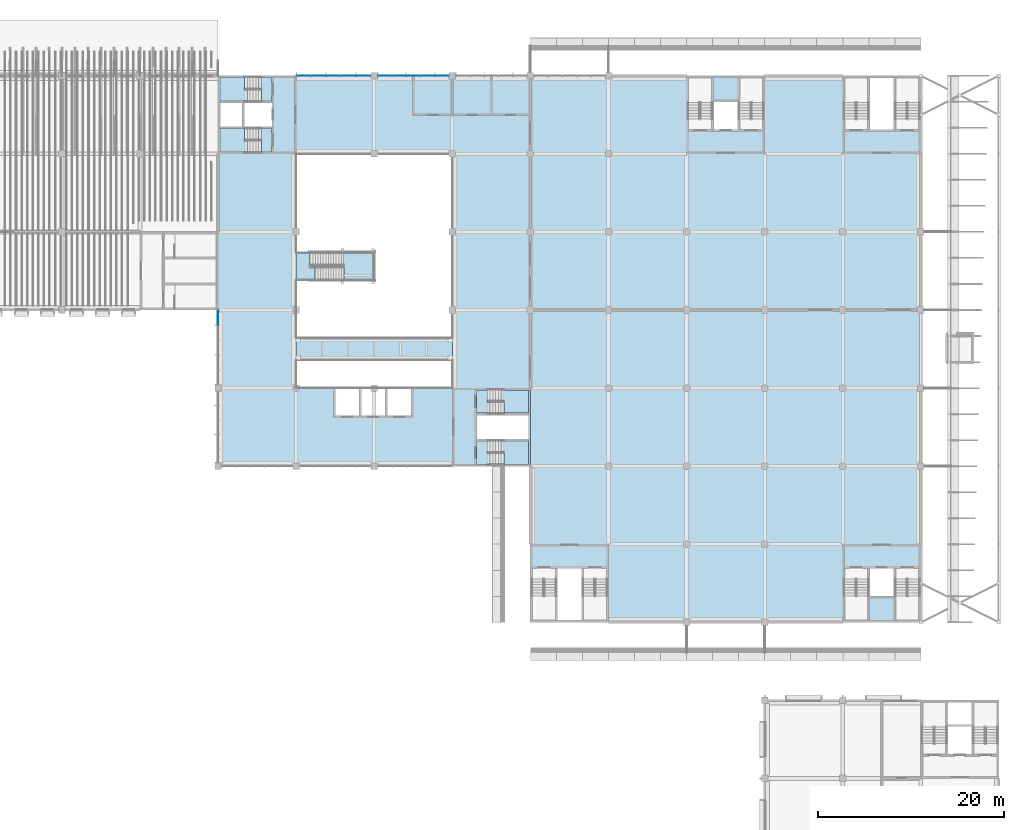
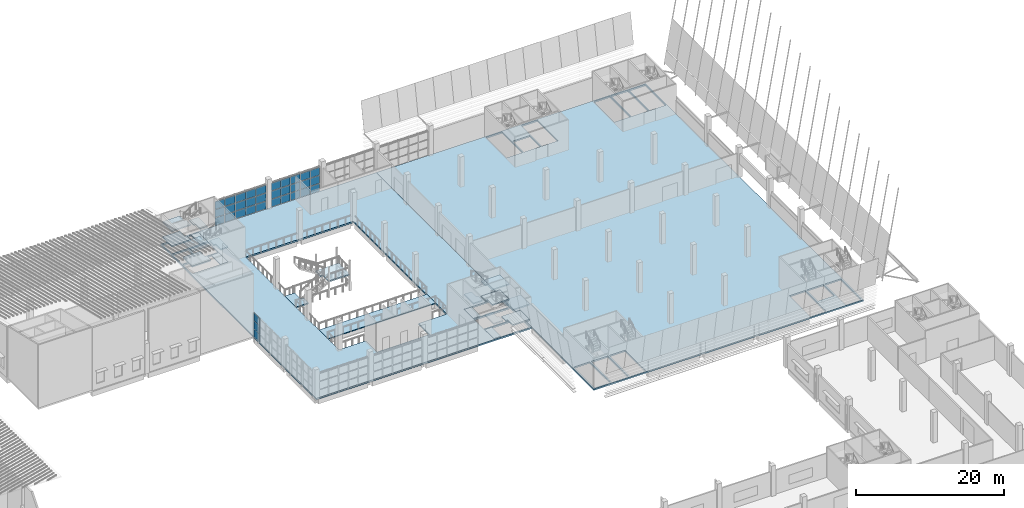
# One storey, part 14 of 82: 33 plates, 21 slabs, 8 elements without a shape of their own.
"""IFC4 building model written with IfcOpenShell, lengths in metres."""

from ifc_helpers import new_model, si_unit, direction, frame, origin, origin_2d, place, context, subcontext, project, spatial, polyline, rectangle, outline, extrude, material, layer, layer_set, type_object, element, aggregate, save


model = new_model("IFC4")

# Units and contexts
model_context = context("Model", 3, precision=1e-05, world=origin(), true_north=direction((0.0, 1.0)))
body_context = subcontext(model_context, "Body", "Model", "MODEL_VIEW")
ifc_project = project(units=[si_unit("LENGTHUNIT", "METRE"), si_unit("AREAUNIT", "SQUARE_METRE"), si_unit("VOLUMEUNIT", "CUBIC_METRE"), si_unit("PLANEANGLEUNIT", "RADIAN"), si_unit("MASSUNIT", "GRAM", prefix="KILO")], contexts=[model_context])

# Site, building, storey
site_placement = place(None, origin())
site = spatial("IfcSite", under=ifc_project, at=site_placement, CompositionType="ELEMENT")
building_placement = place(site_placement, origin())
building = spatial("IfcBuilding", under=site, at=building_placement, Name="Almond Square Museum", CompositionType="ELEMENT")
storey_placement = place(building_placement, frame((0.0, 0.0, 20.0)))
storey = spatial("IfcBuildingStorey", under=building, at=storey_placement, Name="L03", CompositionType="ELEMENT", Elevation=20.0)

# Slab
ifc_material_1 = material(Name="Concrete C35/45", Category="concrete")
ifc_layer_1 = layer(ifc_material_1, 0.14990234375)
ifc_layer_set_1 = layer_set([ifc_layer_1], Name="Concrete C35/45")
slab_type_1 = type_object("IfcSlabType", Name="Bridge deck slab 150", PredefinedType="FLOOR", material=ifc_layer_set_1)
slab_1_placement = place(storey_placement, frame((0.0, 0.0, -0.14990234375)))
element("IfcSlab", 1, at=slab_1_placement, inside=storey, type_object=slab_type_1, Name="Bridge 5 deck", PredefinedType="FLOOR", context=body_context, shape_type="SweptSolid", body=[
    extrude(outline(polyline([(81.60009765625, 78.60009765625), (98.39990234375, 78.60009765625), (98.39990234375, 81.0), (81.60009765625, 81.0), (81.60009765625, 78.60009765625)])), origin(), (0.0, 0.0, 1.0), 0.14990234375),
])

# Stair, slabs
ifc_material_2 = material(Name="Concrete C40/50", Category="concrete")
stair_type_1 = type_object("IfcStairType", Name="Exit stair 28 risers of 179 mm", PredefinedType="HALF_TURN_STAIR", material=ifc_material_2)
stair_1_placement = place(storey_placement, origin())
stair_1 = element("IfcStair", 2, at=stair_1_placement, inside=storey, type_object=stair_type_1, Name="L03 stair A1-1", PredefinedType="HALF_TURN_STAIR")
ifc_material_3 = material(Name="Concrete C40/50", Category="concrete")
ifc_layer_2 = layer(ifc_material_3, 0.199951171875)
ifc_layer_set_2 = layer_set([ifc_layer_2], Name="Concrete C40/50")
slab_type_2 = type_object("IfcSlabType", Name="Concrete stair landing 200", PredefinedType="LANDING", material=ifc_layer_set_2)
slab_2_placement = place(storey_placement, frame((0.0, 0.0, 1.050048828125)))
slab_2 = element("IfcSlab", 3, at=slab_2_placement, type_object=slab_type_2, Name="ST-09 landing 1", PredefinedType="LANDING", context=body_context, shape_type="SweptSolid", body=[
    extrude(outline(polyline([(76.052978515625, 103.5), (73.39990234375, 103.5), (73.39990234375, 101.0), (76.35009765625, 101.0), (76.35009765625, 102.14990234375), (76.052978515625, 102.14990234375), (76.052978515625, 103.5)])), origin(), (0.0, 0.0, 1.0), 0.199951171875),
])
slab_3_placement = place(storey_placement, frame((0.0, 0.0, 2.300048828125)))
slab_3 = element("IfcSlab", 4, at=slab_3_placement, type_object=slab_type_2, Name="ST-09 landing 2", PredefinedType="LANDING", context=body_context, shape_type="SweptSolid", body=[
    extrude(outline(polyline([(79.0, 103.5), (77.85009765625, 103.5), (77.550048828125, 103.5), (77.550048828125, 102.35009765625), (77.846923828125, 102.35009765625), (77.846923828125, 101.0), (79.0, 101.0), (79.0, 103.5)])), origin(), (0.0, 0.0, 1.0), 0.199951171875),
])
slab_4_placement = place(storey_placement, frame((0.0, 0.0, 3.550048828125)))
slab_4 = element("IfcSlab", 5, at=slab_4_placement, type_object=slab_type_2, Name="ST-09 landing 3", PredefinedType="LANDING", context=body_context, shape_type="SweptSolid", body=[
    extrude(outline(polyline([(76.052978515625, 103.5), (73.39990234375, 103.5), (73.39990234375, 101.0), (76.35009765625, 101.0), (76.35009765625, 102.14990234375), (76.052978515625, 102.14990234375), (76.052978515625, 103.5)])), origin(), (0.0, 0.0, 1.0), 0.199951171875),
])
aggregate(stair_1, [slab_2, slab_3, slab_4])

stair_2_placement = place(storey_placement, origin())
stair_2 = element("IfcStair", 6, at=stair_2_placement, inside=storey, type_object=stair_type_1, Name="L03 stair A1-2", PredefinedType="HALF_TURN_STAIR")
slab_5_placement = place(storey_placement, frame((0.0, 0.0, 1.050048828125)))
slab_5 = element("IfcSlab", 7, at=slab_5_placement, type_object=slab_type_2, Name="ST-10 landing 1", PredefinedType="LANDING", context=body_context, shape_type="SweptSolid", body=[
    extrude(outline(polyline([(76.052978515625, 109.0), (73.39990234375, 109.0), (73.39990234375, 106.5), (76.35009765625, 106.5), (76.35009765625, 107.64990234375), (76.052978515625, 107.64990234375), (76.052978515625, 109.0)])), origin(), (0.0, 0.0, 1.0), 0.199951171875),
])
slab_6_placement = place(storey_placement, frame((0.0, 0.0, 2.300048828125)))
slab_6 = element("IfcSlab", 8, at=slab_6_placement, type_object=slab_type_2, Name="ST-10 landing 2", PredefinedType="LANDING", context=body_context, shape_type="SweptSolid", body=[
    extrude(outline(polyline([(79.0, 109.0), (77.85009765625, 109.0), (77.550048828125, 109.0), (77.550048828125, 107.85009765625), (77.846923828125, 107.85009765625), (77.846923828125, 106.5), (79.0, 106.5), (79.0, 109.0)])), origin(), (0.0, 0.0, 1.0), 0.199951171875),
])
slab_7_placement = place(storey_placement, frame((0.0, 0.0, 3.550048828125)))
slab_7 = element("IfcSlab", 9, at=slab_7_placement, type_object=slab_type_2, Name="ST-10 landing 3", PredefinedType="LANDING", context=body_context, shape_type="SweptSolid", body=[
    extrude(outline(polyline([(76.052978515625, 109.0), (73.39990234375, 109.0), (73.39990234375, 106.5), (76.35009765625, 106.5), (76.35009765625, 107.64990234375), (76.052978515625, 107.64990234375), (76.052978515625, 109.0)])), origin(), (0.0, 0.0, 1.0), 0.199951171875),
])
aggregate(stair_2, [slab_5, slab_6, slab_7])

stair_3_placement = place(storey_placement, origin())
stair_3 = element("IfcStair", 10, at=stair_3_placement, inside=storey, type_object=stair_type_1, Name="L03 stair A2-1", PredefinedType="HALF_TURN_STAIR")
slab_8_placement = place(storey_placement, frame((0.0, 0.0, 1.050048828125)))
slab_8 = element("IfcSlab", 11, at=slab_8_placement, type_object=slab_type_2, Name="ST-11 landing 1", PredefinedType="LANDING", context=body_context, shape_type="SweptSolid", body=[
    extrude(outline(polyline([(103.947021484375, 67.39990234375), (106.60009765625, 67.39990234375), (106.60009765625, 69.89990234375), (103.64990234375, 69.89990234375), (103.64990234375, 68.75), (103.947021484375, 68.75), (103.947021484375, 67.39990234375)])), origin(), (0.0, 0.0, 1.0), 0.199951171875),
])
slab_9_placement = place(storey_placement, frame((0.0, 0.0, 2.300048828125)))
slab_9 = element("IfcSlab", 12, at=slab_9_placement, type_object=slab_type_2, Name="ST-11 landing 2", PredefinedType="LANDING", context=body_context, shape_type="SweptSolid", body=[
    extrude(outline(polyline([(101.0, 67.39990234375), (102.14990234375, 67.39990234375), (102.449951171875, 67.39990234375), (102.449951171875, 68.550048828125), (102.153076171875, 68.550048828125), (102.153076171875, 69.89990234375), (101.0, 69.89990234375), (101.0, 67.39990234375)])), origin(), (0.0, 0.0, 1.0), 0.199951171875),
])
slab_10_placement = place(storey_placement, frame((0.0, 0.0, 3.550048828125)))
slab_10 = element("IfcSlab", 13, at=slab_10_placement, type_object=slab_type_2, Name="ST-11 landing 3", PredefinedType="LANDING", context=body_context, shape_type="SweptSolid", body=[
    extrude(outline(polyline([(103.947021484375, 67.39990234375), (106.60009765625, 67.39990234375), (106.60009765625, 69.89990234375), (103.64990234375, 69.89990234375), (103.64990234375, 68.75), (103.947021484375, 68.75), (103.947021484375, 67.39990234375)])), origin(), (0.0, 0.0, 1.0), 0.199951171875),
])
aggregate(stair_3, [slab_8, slab_9, slab_10])

stair_4_placement = place(storey_placement, origin())
stair_4 = element("IfcStair", 14, at=stair_4_placement, inside=storey, type_object=stair_type_1, Name="L03 stair A2-2", PredefinedType="HALF_TURN_STAIR")
slab_11_placement = place(storey_placement, frame((0.0, 0.0, 1.050048828125)))
slab_11 = element("IfcSlab", 15, at=slab_11_placement, type_object=slab_type_2, Name="ST-12 landing 1", PredefinedType="LANDING", context=body_context, shape_type="SweptSolid", body=[
    extrude(outline(polyline([(103.947021484375, 72.89990234375), (106.60009765625, 72.89990234375), (106.60009765625, 75.39990234375), (103.64990234375, 75.39990234375), (103.64990234375, 74.25), (103.947021484375, 74.25), (103.947021484375, 72.89990234375)])), origin(), (0.0, 0.0, 1.0), 0.199951171875),
])
slab_12_placement = place(storey_placement, frame((0.0, 0.0, 2.300048828125)))
slab_12 = element("IfcSlab", 16, at=slab_12_placement, type_object=slab_type_2, Name="ST-12 landing 2", PredefinedType="LANDING", context=body_context, shape_type="SweptSolid", body=[
    extrude(outline(polyline([(101.0, 72.89990234375), (102.14990234375, 72.89990234375), (102.449951171875, 72.89990234375), (102.449951171875, 74.050048828125), (102.153076171875, 74.050048828125), (102.153076171875, 75.39990234375), (101.0, 75.39990234375), (101.0, 72.89990234375)])), origin(), (0.0, 0.0, 1.0), 0.199951171875),
])
slab_13_placement = place(storey_placement, frame((0.0, 0.0, 3.550048828125)))
slab_13 = element("IfcSlab", 17, at=slab_13_placement, type_object=slab_type_2, Name="ST-12 landing 3", PredefinedType="LANDING", context=body_context, shape_type="SweptSolid", body=[
    extrude(outline(polyline([(103.947021484375, 72.89990234375), (106.60009765625, 72.89990234375), (106.60009765625, 75.39990234375), (103.64990234375, 75.39990234375), (103.64990234375, 74.25), (103.947021484375, 74.25), (103.947021484375, 72.89990234375)])), origin(), (0.0, 0.0, 1.0), 0.199951171875),
])
aggregate(stair_4, [slab_11, slab_12, slab_13])

# Slabs
slab_14_placement = place(storey_placement, frame((0.0, 0.0, -0.199951171875)))
element("IfcSlab", 18, at=slab_14_placement, inside=storey, type_object=slab_type_2, Name="L03 stair A1-1 floor landing", PredefinedType="LANDING", context=body_context, shape_type="SweptSolid", body=[
    extrude(outline(polyline([(77.846923828125, 101.0), (79.0, 101.0), (79.0, 103.5), (77.846923828125, 103.5), (77.846923828125, 101.0)])), origin(), (0.0, 0.0, 1.0), 0.199951171875),
])
slab_15_placement = place(storey_placement, frame((0.0, 0.0, -0.199951171875)))
element("IfcSlab", 19, at=slab_15_placement, inside=storey, type_object=slab_type_2, Name="L03 stair A1-2 floor landing", PredefinedType="LANDING", context=body_context, shape_type="SweptSolid", body=[
    extrude(outline(polyline([(77.846923828125, 106.5), (79.0, 106.5), (79.0, 109.0), (77.846923828125, 109.0), (77.846923828125, 106.5)])), origin(), (0.0, 0.0, 1.0), 0.199951171875),
])
slab_16_placement = place(storey_placement, frame((0.0, 0.0, -0.199951171875)))
element("IfcSlab", 20, at=slab_16_placement, inside=storey, type_object=slab_type_2, Name="L03 stair A2-1 floor landing", PredefinedType="LANDING", context=body_context, shape_type="SweptSolid", body=[
    extrude(outline(polyline([(101.0, 67.39990234375), (102.153076171875, 67.39990234375), (102.153076171875, 69.89990234375), (101.0, 69.89990234375), (101.0, 67.39990234375)])), origin(), (0.0, 0.0, 1.0), 0.199951171875),
])
slab_17_placement = place(storey_placement, frame((0.0, 0.0, -0.199951171875)))
element("IfcSlab", 21, at=slab_17_placement, inside=storey, type_object=slab_type_2, Name="L03 stair A2-2 floor landing", PredefinedType="LANDING", context=body_context, shape_type="SweptSolid", body=[
    extrude(outline(polyline([(101.0, 72.89990234375), (102.153076171875, 72.89990234375), (102.153076171875, 75.39990234375), (101.0, 75.39990234375), (101.0, 72.89990234375)])), origin(), (0.0, 0.0, 1.0), 0.199951171875),
])

# Stair, slab
ifc_material_4 = material(Name="Concrete C40/50", Category="concrete")
stair_type_2 = type_object("IfcStairType", Name="Feature stair 1400 open flights", PredefinedType="HALF_TURN_STAIR", material=ifc_material_4)
stair_5_placement = place(storey_placement, origin())
stair_5 = element("IfcStair", 22, at=stair_5_placement, inside=storey, type_object=stair_type_2, Name="L03 atrium feature stair", PredefinedType="HALF_TURN_STAIR")
ifc_material_5 = material(Name="Concrete C40/50", Category="concrete")
ifc_layer_3 = layer(ifc_material_5, 0.199951171875)
ifc_layer_set_3 = layer_set([ifc_layer_3], Name="Concrete C40/50")
slab_type_3 = type_object("IfcSlabType", Name="Feature stair landing 200", PredefinedType="LANDING", material=ifc_layer_set_3)
slab_18_placement = place(storey_placement, frame((0.0, 0.0, 2.300048828125)))
slab_18 = element("IfcSlab", 23, at=slab_18_placement, type_object=slab_type_3, Name="ST-F landing 1", PredefinedType="LANDING", context=body_context, shape_type="SweptSolid", body=[
    extrude(outline(polyline([(86.737060546875, 87.199951171875), (90.0, 87.199951171875), (90.0, 90.199951171875), (86.344970703125, 90.199951171875), (86.344970703125, 88.800048828125), (86.737060546875, 88.800048828125), (86.737060546875, 87.199951171875)])), origin(), (0.0, 0.0, 1.0), 0.199951171875),
])
aggregate(stair_5, [slab_18])

# Slab
slab_19_placement = place(storey_placement, frame((0.0, 0.0, -0.199951171875)))
element("IfcSlab", 24, at=slab_19_placement, inside=storey, type_object=slab_type_3, Name="L03 atrium feature stair floor landing", PredefinedType="LANDING", context=body_context, shape_type="SweptSolid", body=[
    extrude(outline(polyline([(81.60009765625, 87.199951171875), (83.56494140625, 87.199951171875), (83.56494140625, 88.60009765625), (83.10302734375, 88.60009765625), (83.10302734375, 90.199951171875), (81.60009765625, 90.199951171875), (81.60009765625, 87.199951171875)])), origin(), (0.0, 0.0, 1.0), 0.199951171875),
])

# Curtain wall, plates
ifc_material_6 = material(Name="Aluminium and laminated glass", Category="aluminium")
curtain_wall_type = type_object("IfcCurtainWallType", Name="Unitised curtain wall 1500 module", PredefinedType="NOTDEFINED", material=ifc_material_6)
curtain_wall_1_placement = place(storey_placement, origin())
curtain_wall_1 = element("IfcCurtainWall", 25, at=curtain_wall_1_placement, inside=storey, type_object=curtain_wall_type, Name="Curtain wall CW-33", PredefinedType="NOTDEFINED")
ifc_material_7 = material(Name="Laminated hurricane-rated glass", Category="glass")
ifc_layer_4 = layer(ifc_material_7, 0.035888671875)
ifc_layer_set_4 = layer_set([ifc_layer_4], Name="Laminated hurricane-rated glass")
plate_type = type_object("IfcPlateType", Name="Laminated glass panel 36", PredefinedType="CURTAIN_PANEL", material=ifc_layer_set_4)
plate_1_placement = place(storey_placement, frame((91.135009765625, 109.199951171875, 0.06005859375), z_axis=(0.0, 0.0, 1.0), x_axis=(1.0, 0.0, 0.0)))
plate_1 = element("IfcPlate", 26, at=plate_1_placement, type_object=plate_type, Name="CW-33 panel 1.1", PredefinedType="CURTAIN_PANEL", context=body_context, shape_type="SweptSolid", body=[
    extrude(rectangle(XDim=1.449951171875, YDim=0.035888671875, at=origin_2d()), origin(), (0.0, 0.0, 1.0), 1.260009765625),
])
plate_2_placement = place(storey_placement, frame((91.135009765625, 109.199951171875, 1.3798828125), z_axis=(0.0, 0.0, 1.0), x_axis=(1.0, 0.0, 0.0)))
plate_2 = element("IfcPlate", 27, at=plate_2_placement, type_object=plate_type, Name="CW-33 panel 1.2", PredefinedType="CURTAIN_PANEL", context=body_context, shape_type="SweptSolid", body=[
    extrude(rectangle(XDim=1.449951171875, YDim=0.035888671875, at=origin_2d()), origin(), (0.0, 0.0, 1.0), 1.2900390625),
])
plate_3_placement = place(storey_placement, frame((91.135009765625, 109.199951171875, 2.72998046875), z_axis=(0.0, 0.0, 1.0), x_axis=(1.0, 0.0, 0.0)))
plate_3 = element("IfcPlate", 28, at=plate_3_placement, type_object=plate_type, Name="CW-33 panel 1.3", PredefinedType="CURTAIN_PANEL", context=body_context, shape_type="SweptSolid", body=[
    extrude(rectangle(XDim=1.449951171875, YDim=0.035888671875, at=origin_2d()), origin(), (0.0, 0.0, 1.0), 1.260009765625),
])
plate_4_placement = place(storey_placement, frame((92.659912109375, 109.199951171875, 0.06005859375), z_axis=(0.0, 0.0, 1.0), x_axis=(1.0, 0.0, 0.0)))
plate_4 = element("IfcPlate", 29, at=plate_4_placement, type_object=plate_type, Name="CW-33 panel 2.1", PredefinedType="CURTAIN_PANEL", context=body_context, shape_type="SweptSolid", body=[
    extrude(rectangle(XDim=1.47998046875, YDim=0.035888671875, at=origin_2d()), origin(), (0.0, 0.0, 1.0), 1.260009765625),
])
plate_5_placement = place(storey_placement, frame((92.659912109375, 109.199951171875, 1.3798828125), z_axis=(0.0, 0.0, 1.0), x_axis=(1.0, 0.0, 0.0)))
plate_5 = element("IfcPlate", 30, at=plate_5_placement, type_object=plate_type, Name="CW-33 panel 2.2", PredefinedType="CURTAIN_PANEL", context=body_context, shape_type="SweptSolid", body=[
    extrude(rectangle(XDim=1.47998046875, YDim=0.035888671875, at=origin_2d()), origin(), (0.0, 0.0, 1.0), 1.2900390625),
])
plate_6_placement = place(storey_placement, frame((92.659912109375, 109.199951171875, 2.72998046875), z_axis=(0.0, 0.0, 1.0), x_axis=(1.0, 0.0, 0.0)))
plate_6 = element("IfcPlate", 31, at=plate_6_placement, type_object=plate_type, Name="CW-33 panel 2.3", PredefinedType="CURTAIN_PANEL", context=body_context, shape_type="SweptSolid", body=[
    extrude(rectangle(XDim=1.47998046875, YDim=0.035888671875, at=origin_2d()), origin(), (0.0, 0.0, 1.0), 1.260009765625),
])
plate_7_placement = place(storey_placement, frame((94.199951171875, 109.199951171875, 0.06005859375), z_axis=(0.0, 0.0, 1.0), x_axis=(1.0, 0.0, 0.0)))
plate_7 = element("IfcPlate", 32, at=plate_7_placement, type_object=plate_type, Name="CW-33 panel 3.1", PredefinedType="CURTAIN_PANEL", context=body_context, shape_type="SweptSolid", body=[
    extrude(rectangle(XDim=1.47998046875, YDim=0.035888671875, at=origin_2d()), origin(), (0.0, 0.0, 1.0), 1.260009765625),
])
plate_8_placement = place(storey_placement, frame((94.199951171875, 109.199951171875, 1.3798828125), z_axis=(0.0, 0.0, 1.0), x_axis=(1.0, 0.0, 0.0)))
plate_8 = element("IfcPlate", 33, at=plate_8_placement, type_object=plate_type, Name="CW-33 panel 3.2", PredefinedType="CURTAIN_PANEL", context=body_context, shape_type="SweptSolid", body=[
    extrude(rectangle(XDim=1.47998046875, YDim=0.035888671875, at=origin_2d()), origin(), (0.0, 0.0, 1.0), 1.2900390625),
])
plate_9_placement = place(storey_placement, frame((94.199951171875, 109.199951171875, 2.72998046875), z_axis=(0.0, 0.0, 1.0), x_axis=(1.0, 0.0, 0.0)))
plate_9 = element("IfcPlate", 34, at=plate_9_placement, type_object=plate_type, Name="CW-33 panel 3.3", PredefinedType="CURTAIN_PANEL", context=body_context, shape_type="SweptSolid", body=[
    extrude(rectangle(XDim=1.47998046875, YDim=0.035888671875, at=origin_2d()), origin(), (0.0, 0.0, 1.0), 1.260009765625),
])
plate_10_placement = place(storey_placement, frame((95.739990234375, 109.199951171875, 0.06005859375), z_axis=(0.0, 0.0, 1.0), x_axis=(1.0, 0.0, 0.0)))
plate_10 = element("IfcPlate", 35, at=plate_10_placement, type_object=plate_type, Name="CW-33 panel 4.1", PredefinedType="CURTAIN_PANEL", context=body_context, shape_type="SweptSolid", body=[
    extrude(rectangle(XDim=1.47998046875, YDim=0.035888671875, at=origin_2d()), origin(), (0.0, 0.0, 1.0), 1.260009765625),
])
plate_11_placement = place(storey_placement, frame((95.739990234375, 109.199951171875, 1.3798828125), z_axis=(0.0, 0.0, 1.0), x_axis=(1.0, 0.0, 0.0)))
plate_11 = element("IfcPlate", 36, at=plate_11_placement, type_object=plate_type, Name="CW-33 panel 4.2", PredefinedType="CURTAIN_PANEL", context=body_context, shape_type="SweptSolid", body=[
    extrude(rectangle(XDim=1.47998046875, YDim=0.035888671875, at=origin_2d()), origin(), (0.0, 0.0, 1.0), 1.2900390625),
])
plate_12_placement = place(storey_placement, frame((95.739990234375, 109.199951171875, 2.72998046875), z_axis=(0.0, 0.0, 1.0), x_axis=(1.0, 0.0, 0.0)))
plate_12 = element("IfcPlate", 37, at=plate_12_placement, type_object=plate_type, Name="CW-33 panel 4.3", PredefinedType="CURTAIN_PANEL", context=body_context, shape_type="SweptSolid", body=[
    extrude(rectangle(XDim=1.47998046875, YDim=0.035888671875, at=origin_2d()), origin(), (0.0, 0.0, 1.0), 1.260009765625),
])
plate_13_placement = place(storey_placement, frame((97.264892578125, 109.199951171875, 0.06005859375), z_axis=(0.0, 0.0, 1.0), x_axis=(1.0, 0.0, 0.0)))
plate_13 = element("IfcPlate", 38, at=plate_13_placement, type_object=plate_type, Name="CW-33 panel 5.1", PredefinedType="CURTAIN_PANEL", context=body_context, shape_type="SweptSolid", body=[
    extrude(rectangle(XDim=1.449951171875, YDim=0.035888671875, at=origin_2d()), origin(), (0.0, 0.0, 1.0), 1.260009765625),
])
plate_14_placement = place(storey_placement, frame((97.264892578125, 109.199951171875, 1.3798828125), z_axis=(0.0, 0.0, 1.0), x_axis=(1.0, 0.0, 0.0)))
plate_14 = element("IfcPlate", 39, at=plate_14_placement, type_object=plate_type, Name="CW-33 panel 5.2", PredefinedType="CURTAIN_PANEL", context=body_context, shape_type="SweptSolid", body=[
    extrude(rectangle(XDim=1.449951171875, YDim=0.035888671875, at=origin_2d()), origin(), (0.0, 0.0, 1.0), 1.2900390625),
])
plate_15_placement = place(storey_placement, frame((97.264892578125, 109.199951171875, 2.72998046875), z_axis=(0.0, 0.0, 1.0), x_axis=(1.0, 0.0, 0.0)))
plate_15 = element("IfcPlate", 40, at=plate_15_placement, type_object=plate_type, Name="CW-33 panel 5.3", PredefinedType="CURTAIN_PANEL", context=body_context, shape_type="SweptSolid", body=[
    extrude(rectangle(XDim=1.449951171875, YDim=0.035888671875, at=origin_2d()), origin(), (0.0, 0.0, 1.0), 1.260009765625),
])
aggregate(curtain_wall_1, [plate_1, plate_2, plate_3, plate_4, plate_5, plate_6, plate_7, plate_8, plate_9, plate_10, plate_11, plate_12, plate_13, plate_14, plate_15])

curtain_wall_2_placement = place(storey_placement, origin())
curtain_wall_2 = element("IfcCurtainWall", 41, at=curtain_wall_2_placement, inside=storey, type_object=curtain_wall_type, Name="Curtain wall CW-34", PredefinedType="NOTDEFINED")
plate_16_placement = place(storey_placement, frame((82.419921875, 109.199951171875, 0.06005859375), z_axis=(0.0, 0.0, 1.0), x_axis=(1.0, 0.0, 0.0)))
plate_16 = element("IfcPlate", 42, at=plate_16_placement, type_object=plate_type, Name="CW-34 panel 1.1", PredefinedType="CURTAIN_PANEL", context=body_context, shape_type="SweptSolid", body=[
    extrude(rectangle(XDim=1.52001953125, YDim=0.035888671875, at=origin_2d()), origin(), (0.0, 0.0, 1.0), 1.260009765625),
])
plate_17_placement = place(storey_placement, frame((82.419921875, 109.199951171875, 1.3798828125), z_axis=(0.0, 0.0, 1.0), x_axis=(1.0, 0.0, 0.0)))
plate_17 = element("IfcPlate", 43, at=plate_17_placement, type_object=plate_type, Name="CW-34 panel 1.2", PredefinedType="CURTAIN_PANEL", context=body_context, shape_type="SweptSolid", body=[
    extrude(rectangle(XDim=1.52001953125, YDim=0.035888671875, at=origin_2d()), origin(), (0.0, 0.0, 1.0), 1.2900390625),
])
plate_18_placement = place(storey_placement, frame((82.419921875, 109.199951171875, 2.72998046875), z_axis=(0.0, 0.0, 1.0), x_axis=(1.0, 0.0, 0.0)))
plate_18 = element("IfcPlate", 44, at=plate_18_placement, type_object=plate_type, Name="CW-34 panel 1.3", PredefinedType="CURTAIN_PANEL", context=body_context, shape_type="SweptSolid", body=[
    extrude(rectangle(XDim=1.52001953125, YDim=0.035888671875, at=origin_2d()), origin(), (0.0, 0.0, 1.0), 1.260009765625),
])
plate_19_placement = place(storey_placement, frame((84.014892578125, 109.199951171875, 0.06005859375), z_axis=(0.0, 0.0, 1.0), x_axis=(1.0, 0.0, 0.0)))
plate_19 = element("IfcPlate", 45, at=plate_19_placement, type_object=plate_type, Name="CW-34 panel 2.1", PredefinedType="CURTAIN_PANEL", context=body_context, shape_type="SweptSolid", body=[
    extrude(rectangle(XDim=1.550048828125, YDim=0.035888671875, at=origin_2d()), origin(), (0.0, 0.0, 1.0), 1.260009765625),
])
plate_20_placement = place(storey_placement, frame((84.014892578125, 109.199951171875, 1.3798828125), z_axis=(0.0, 0.0, 1.0), x_axis=(1.0, 0.0, 0.0)))
plate_20 = element("IfcPlate", 46, at=plate_20_placement, type_object=plate_type, Name="CW-34 panel 2.2", PredefinedType="CURTAIN_PANEL", context=body_context, shape_type="SweptSolid", body=[
    extrude(rectangle(XDim=1.550048828125, YDim=0.035888671875, at=origin_2d()), origin(), (0.0, 0.0, 1.0), 1.2900390625),
])
plate_21_placement = place(storey_placement, frame((84.014892578125, 109.199951171875, 2.72998046875), z_axis=(0.0, 0.0, 1.0), x_axis=(1.0, 0.0, 0.0)))
plate_21 = element("IfcPlate", 47, at=plate_21_placement, type_object=plate_type, Name="CW-34 panel 2.3", PredefinedType="CURTAIN_PANEL", context=body_context, shape_type="SweptSolid", body=[
    extrude(rectangle(XDim=1.550048828125, YDim=0.035888671875, at=origin_2d()), origin(), (0.0, 0.0, 1.0), 1.260009765625),
])
plate_22_placement = place(storey_placement, frame((85.625, 109.199951171875, 0.06005859375), z_axis=(0.0, 0.0, 1.0), x_axis=(1.0, 0.0, 0.0)))
plate_22 = element("IfcPlate", 48, at=plate_22_placement, type_object=plate_type, Name="CW-34 panel 3.1", PredefinedType="CURTAIN_PANEL", context=body_context, shape_type="SweptSolid", body=[
    extrude(rectangle(XDim=1.550048828125, YDim=0.035888671875, at=origin_2d()), origin(), (0.0, 0.0, 1.0), 1.260009765625),
])
plate_23_placement = place(storey_placement, frame((85.625, 109.199951171875, 1.3798828125), z_axis=(0.0, 0.0, 1.0), x_axis=(1.0, 0.0, 0.0)))
plate_23 = element("IfcPlate", 49, at=plate_23_placement, type_object=plate_type, Name="CW-34 panel 3.2", PredefinedType="CURTAIN_PANEL", context=body_context, shape_type="SweptSolid", body=[
    extrude(rectangle(XDim=1.550048828125, YDim=0.035888671875, at=origin_2d()), origin(), (0.0, 0.0, 1.0), 1.2900390625),
])
plate_24_placement = place(storey_placement, frame((85.625, 109.199951171875, 2.72998046875), z_axis=(0.0, 0.0, 1.0), x_axis=(1.0, 0.0, 0.0)))
plate_24 = element("IfcPlate", 50, at=plate_24_placement, type_object=plate_type, Name="CW-34 panel 3.3", PredefinedType="CURTAIN_PANEL", context=body_context, shape_type="SweptSolid", body=[
    extrude(rectangle(XDim=1.550048828125, YDim=0.035888671875, at=origin_2d()), origin(), (0.0, 0.0, 1.0), 1.260009765625),
])
plate_25_placement = place(storey_placement, frame((87.235107421875, 109.199951171875, 0.06005859375), z_axis=(0.0, 0.0, 1.0), x_axis=(1.0, 0.0, 0.0)))
plate_25 = element("IfcPlate", 51, at=plate_25_placement, type_object=plate_type, Name="CW-34 panel 4.1", PredefinedType="CURTAIN_PANEL", context=body_context, shape_type="SweptSolid", body=[
    extrude(rectangle(XDim=1.550048828125, YDim=0.035888671875, at=origin_2d()), origin(), (0.0, 0.0, 1.0), 1.260009765625),
])
plate_26_placement = place(storey_placement, frame((87.235107421875, 109.199951171875, 1.3798828125), z_axis=(0.0, 0.0, 1.0), x_axis=(1.0, 0.0, 0.0)))
plate_26 = element("IfcPlate", 52, at=plate_26_placement, type_object=plate_type, Name="CW-34 panel 4.2", PredefinedType="CURTAIN_PANEL", context=body_context, shape_type="SweptSolid", body=[
    extrude(rectangle(XDim=1.550048828125, YDim=0.035888671875, at=origin_2d()), origin(), (0.0, 0.0, 1.0), 1.2900390625),
])
plate_27_placement = place(storey_placement, frame((87.235107421875, 109.199951171875, 2.72998046875), z_axis=(0.0, 0.0, 1.0), x_axis=(1.0, 0.0, 0.0)))
plate_27 = element("IfcPlate", 53, at=plate_27_placement, type_object=plate_type, Name="CW-34 panel 4.3", PredefinedType="CURTAIN_PANEL", context=body_context, shape_type="SweptSolid", body=[
    extrude(rectangle(XDim=1.550048828125, YDim=0.035888671875, at=origin_2d()), origin(), (0.0, 0.0, 1.0), 1.260009765625),
])
plate_28_placement = place(storey_placement, frame((88.830078125, 109.199951171875, 0.06005859375), z_axis=(0.0, 0.0, 1.0), x_axis=(1.0, 0.0, 0.0)))
plate_28 = element("IfcPlate", 54, at=plate_28_placement, type_object=plate_type, Name="CW-34 panel 5.1", PredefinedType="CURTAIN_PANEL", context=body_context, shape_type="SweptSolid", body=[
    extrude(rectangle(XDim=1.52001953125, YDim=0.035888671875, at=origin_2d()), origin(), (0.0, 0.0, 1.0), 1.260009765625),
])
plate_29_placement = place(storey_placement, frame((88.830078125, 109.199951171875, 1.3798828125), z_axis=(0.0, 0.0, 1.0), x_axis=(1.0, 0.0, 0.0)))
plate_29 = element("IfcPlate", 55, at=plate_29_placement, type_object=plate_type, Name="CW-34 panel 5.2", PredefinedType="CURTAIN_PANEL", context=body_context, shape_type="SweptSolid", body=[
    extrude(rectangle(XDim=1.52001953125, YDim=0.035888671875, at=origin_2d()), origin(), (0.0, 0.0, 1.0), 1.2900390625),
])
plate_30_placement = place(storey_placement, frame((88.830078125, 109.199951171875, 2.72998046875), z_axis=(0.0, 0.0, 1.0), x_axis=(1.0, 0.0, 0.0)))
plate_30 = element("IfcPlate", 56, at=plate_30_placement, type_object=plate_type, Name="CW-34 panel 5.3", PredefinedType="CURTAIN_PANEL", context=body_context, shape_type="SweptSolid", body=[
    extrude(rectangle(XDim=1.52001953125, YDim=0.035888671875, at=origin_2d()), origin(), (0.0, 0.0, 1.0), 1.260009765625),
])
aggregate(curtain_wall_2, [plate_16, plate_17, plate_18, plate_19, plate_20, plate_21, plate_22, plate_23, plate_24, plate_25, plate_26, plate_27, plate_28, plate_29, plate_30])

curtain_wall_3_placement = place(storey_placement, origin())
curtain_wall_3 = element("IfcCurtainWall", 57, at=curtain_wall_3_placement, inside=storey, type_object=curtain_wall_type, Name="Curtain wall CW-35", PredefinedType="NOTDEFINED")
plate_31_placement = place(storey_placement, frame((73.199951171875, 83.179931640625, 0.06005859375), z_axis=(0.0, 0.0, 1.0), x_axis=(0.0, 1.0, 0.0)))
plate_31 = element("IfcPlate", 58, at=plate_31_placement, type_object=plate_type, Name="CW-35 panel 5.1", PredefinedType="CURTAIN_PANEL", context=body_context, shape_type="SweptSolid", body=[
    extrude(rectangle(XDim=1.52001953125, YDim=0.035888671875, at=origin_2d()), origin(), (0.0, 0.0, 1.0), 1.260009765625),
])
plate_32_placement = place(storey_placement, frame((73.199951171875, 83.179931640625, 1.3798828125), z_axis=(0.0, 0.0, 1.0), x_axis=(0.0, 1.0, 0.0)))
plate_32 = element("IfcPlate", 59, at=plate_32_placement, type_object=plate_type, Name="CW-35 panel 5.2", PredefinedType="CURTAIN_PANEL", context=body_context, shape_type="SweptSolid", body=[
    extrude(rectangle(XDim=1.52001953125, YDim=0.035888671875, at=origin_2d()), origin(), (0.0, 0.0, 1.0), 1.2900390625),
])
plate_33_placement = place(storey_placement, frame((73.199951171875, 83.179931640625, 2.72998046875), z_axis=(0.0, 0.0, 1.0), x_axis=(0.0, 1.0, 0.0)))
plate_33 = element("IfcPlate", 60, at=plate_33_placement, type_object=plate_type, Name="CW-35 panel 5.3", PredefinedType="CURTAIN_PANEL", context=body_context, shape_type="SweptSolid", body=[
    extrude(rectangle(XDim=1.52001953125, YDim=0.035888671875, at=origin_2d()), origin(), (0.0, 0.0, 1.0), 1.260009765625),
])
aggregate(curtain_wall_3, [plate_31, plate_32, plate_33])

# Slabs
ifc_material_8 = material(Name="Concrete C40/50", Category="concrete")
ifc_layer_5 = layer(ifc_material_8, 0.25)
ifc_layer_set_5 = layer_set([ifc_layer_5], Name="Concrete C40/50")
slab_type_4 = type_object("IfcSlabType", Name="RC floor slab 250 C40/50", PredefinedType="FLOOR", material=ifc_layer_set_5)
slab_20_placement = place(storey_placement, frame((0.0, 0.0, -0.25)))
element("IfcSlab", 61, at=slab_20_placement, inside=storey, type_object=slab_type_4, Name="Floor slab L03 V1", PredefinedType="FLOOR", context=body_context, shape_type="SweptSolid", body=[
    extrude(outline(polyline([(148.800048828125, 50.39990234375), (106.800048828125, 50.39990234375), (106.800048828125, 67.199951171875), (106.800048828125, 109.199951171875), (148.800048828125, 109.199951171875), (148.800048828125, 50.39990234375)]), holes=[polyline([(109.5, 50.60009765625), (109.5, 56.199951171875), (107.0, 56.199951171875), (107.0, 50.60009765625), (109.5, 50.60009765625)]), polyline([(109.699951171875, 50.60009765625), (112.300048828125, 50.60009765625), (112.300048828125, 56.199951171875), (109.699951171875, 56.199951171875), (109.699951171875, 50.60009765625)]), polyline([(112.5, 50.60009765625), (115.0, 50.60009765625), (115.0, 56.199951171875), (112.5, 56.199951171875), (112.5, 50.60009765625)]), polyline([(143.10009765625, 50.60009765625), (143.10009765625, 56.199951171875), (140.60009765625, 56.199951171875), (140.60009765625, 50.60009765625), (143.10009765625, 50.60009765625)]), polyline([(146.10009765625, 50.60009765625), (148.60009765625, 50.60009765625), (148.60009765625, 56.199951171875), (146.10009765625, 56.199951171875), (146.10009765625, 50.60009765625)]), polyline([(143.300048828125, 53.199951171875), (145.89990234375, 53.199951171875), (145.89990234375, 56.199951171875), (143.300048828125, 56.199951171875), (143.300048828125, 53.199951171875)]), polyline([(129.10009765625, 103.39990234375), (129.10009765625, 106.39990234375), (126.5, 106.39990234375), (126.5, 103.39990234375), (129.10009765625, 103.39990234375)]), polyline([(123.800048828125, 103.39990234375), (126.300048828125, 103.39990234375), (126.300048828125, 109.0), (123.800048828125, 109.0), (123.800048828125, 103.39990234375)]), polyline([(129.300048828125, 103.39990234375), (131.800048828125, 103.39990234375), (131.800048828125, 109.0), (129.300048828125, 109.0), (129.300048828125, 103.39990234375)]), polyline([(143.10009765625, 103.39990234375), (143.10009765625, 109.0), (140.60009765625, 109.0), (140.60009765625, 103.39990234375), (143.10009765625, 103.39990234375)]), polyline([(143.300048828125, 103.39990234375), (145.89990234375, 103.39990234375), (145.89990234375, 109.0), (143.300048828125, 109.0), (143.300048828125, 103.39990234375)]), polyline([(146.10009765625, 103.39990234375), (148.60009765625, 103.39990234375), (148.60009765625, 109.0), (146.10009765625, 109.0), (146.10009765625, 103.39990234375)])]), origin(), (0.0, 0.0, 1.0), 0.25),
])
slab_21_placement = place(storey_placement, frame((0.0, 0.0, -0.25)))
element("IfcSlab", 62, at=slab_21_placement, inside=storey, type_object=slab_type_4, Name="Floor slab L03 V2", PredefinedType="FLOOR", context=body_context, shape_type="SweptSolid", body=[
    extrude(outline(polyline([(73.199951171875, 109.199951171875), (106.800048828125, 109.199951171875), (106.800048828125, 67.199951171875), (73.199951171875, 67.199951171875), (73.199951171875, 84.0), (73.199951171875, 109.199951171875)]), holes=[polyline([(81.60009765625, 75.60009765625), (85.800048828125, 75.60009765625), (85.800048828125, 72.60009765625), (94.0, 72.60009765625), (94.0, 75.60009765625), (98.39990234375, 75.60009765625), (98.39990234375, 100.800048828125), (81.60009765625, 100.800048828125), (81.60009765625, 75.60009765625)]), polyline([(106.60009765625, 67.39990234375), (106.60009765625, 69.89990234375), (101.0, 69.89990234375), (101.0, 67.39990234375), (106.60009765625, 67.39990234375)]), polyline([(101.0, 70.10009765625), (106.60009765625, 70.10009765625), (106.60009765625, 72.699951171875), (101.0, 72.699951171875), (101.0, 70.10009765625)]), polyline([(106.60009765625, 72.89990234375), (106.60009765625, 75.39990234375), (101.0, 75.39990234375), (101.0, 72.89990234375), (106.60009765625, 72.89990234375)]), polyline([(73.39990234375, 101.0), (79.0, 101.0), (79.0, 103.5), (73.39990234375, 103.5), (73.39990234375, 101.0)]), polyline([(73.39990234375, 103.699951171875), (75.800048828125, 103.699951171875), (75.800048828125, 106.300048828125), (73.39990234375, 106.300048828125), (73.39990234375, 103.699951171875)]), polyline([(79.0, 103.699951171875), (79.0, 106.300048828125), (76.0, 106.300048828125), (76.0, 103.699951171875), (79.0, 103.699951171875)]), polyline([(73.39990234375, 106.5), (79.0, 106.5), (79.0, 109.0), (73.39990234375, 109.0), (73.39990234375, 106.5)])]), origin(), (0.0, 0.0, 1.0), 0.25),
])

save(model, "model.ifc")
